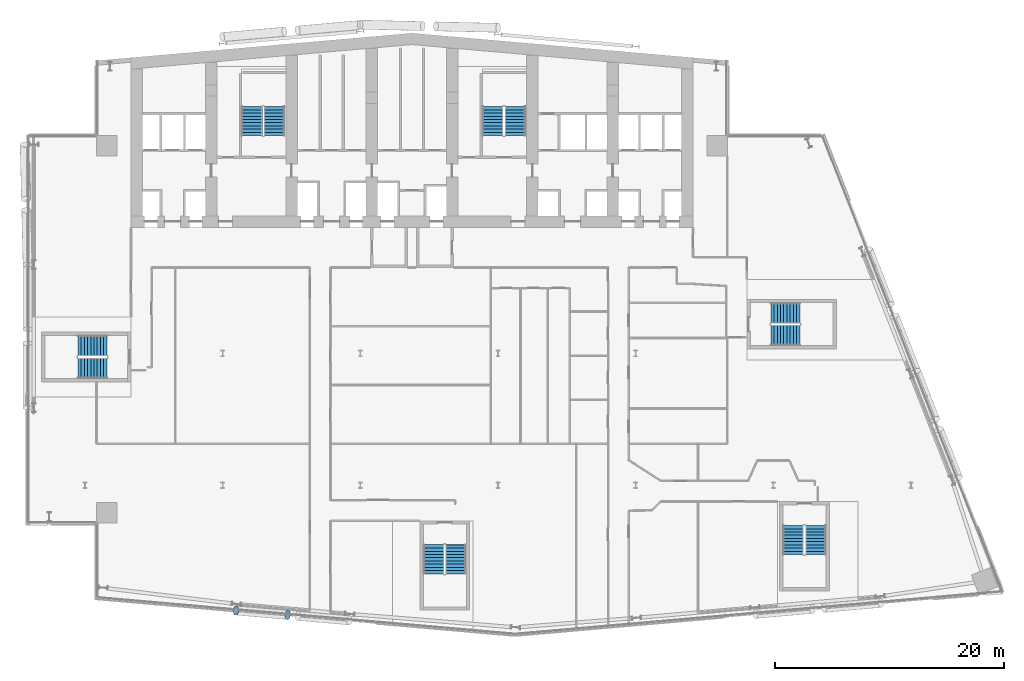
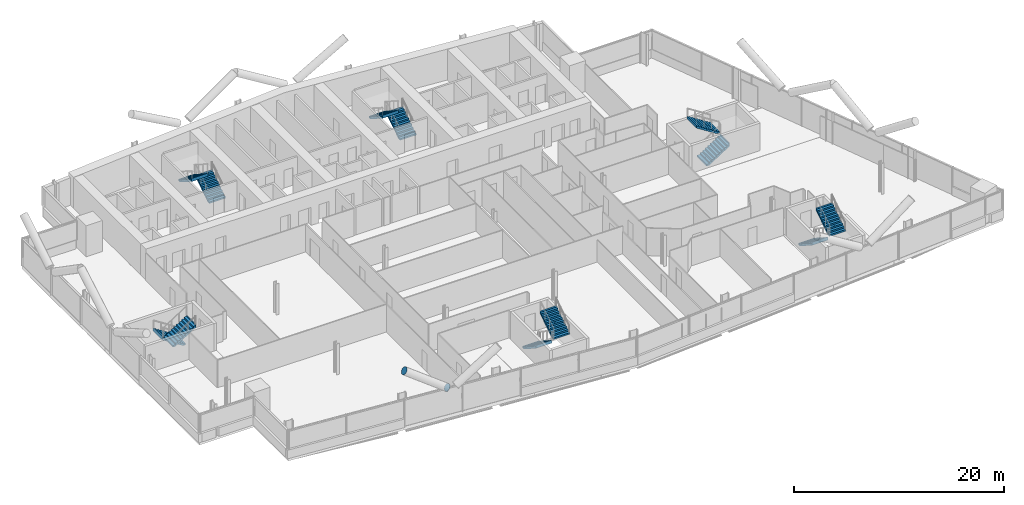
# One storey, part 20 of 27: 12 stair flights, 2 discrete accessories, 6 elements without a shape of their own.
"""IFC4 building model written with IfcOpenShell, lengths in metres."""

from ifc_helpers import new_model, si_unit, direction, frame, origin, origin_2d, place, context, subcontext, project, spatial, polyline, circle, outline, extrude, material, material_profile, profile_set, type_object, element, aggregate, save


model = new_model("IFC4")

# Units and contexts
model_context = context("Model", 3, precision=1e-05, world=origin(), true_north=direction((0.0, 1.0)))
body_context = subcontext(model_context, "Body", "Model", "MODEL_VIEW")
ifc_project = project(units=[si_unit("LENGTHUNIT", "METRE"), si_unit("AREAUNIT", "SQUARE_METRE"), si_unit("VOLUMEUNIT", "CUBIC_METRE"), si_unit("PLANEANGLEUNIT", "RADIAN"), si_unit("MASSUNIT", "GRAM", prefix="KILO")], contexts=[model_context])

# Site, building, storey
site_placement = place(None, origin())
site = spatial("IfcSite", under=ifc_project, at=site_placement, CompositionType="ELEMENT")
building_placement = place(site_placement, origin())
building = spatial("IfcBuilding", under=site, at=building_placement, Name="Wharfspan Tower", CompositionType="ELEMENT")
storey_placement = place(building_placement, frame((0.0, 0.0, 118.300049)))
storey = spatial("IfcBuildingStorey", under=building, at=storey_placement, Name="L27", CompositionType="ELEMENT", Elevation=118.300049)

# Stair, stair flights
ifc_material_1 = material(Name="Concrete C40/50", Category="concrete")
stair_type = type_object("IfcStairType", Name="Half-turn stair 20 risers 180 mm", PredefinedType="HALF_TURN_STAIR", material=ifc_material_1)
stair_1_placement = place(storey_placement, origin())
stair_1 = element("IfcStair", 1, at=stair_1_placement, inside=storey, type_object=stair_type, Name="L27 stair ST1", PredefinedType="HALF_TURN_STAIR")
stair_flight_type = type_object("IfcStairFlightType", Name="Stair flight 20 risers 180 mm", PredefinedType="STRAIGHT", material=ifc_material_1)
stair_flight_1_placement = place(storey_placement, frame((28.5, 42.0, 0.0), z_axis=(0.0, 0.0, 1.0), x_axis=(0.0, 1.0, 0.0)))
stair_flight_1 = element("IfcStairFlight", 2, at=stair_flight_1_placement, type_object=stair_flight_type, Name="ST1 flight 1", NumberOfRisers=10, NumberOfTreads=9, PredefinedType="STRAIGHT", RiserHeight=0.18, TreadLength=0.28, context=body_context, shape_type="SweptSolid", body=[
    extrude(outline(polyline([(-0.011963, 0.0), (-0.011963, 0.179932), (0.0, 0.179932), (0.280029, 0.179932), (0.280029, 0.360107), (0.560059, 0.360107), (0.560059, 0.540039), (0.840088, 0.540039), (0.840088, 0.719971), (1.120117, 0.719971), (1.120117, 0.899902), (1.399902, 0.899902), (1.399902, 1.080078), (1.679932, 1.080078), (1.679932, 1.26001), (1.959961, 1.26001), (1.959961, 1.439941), (2.23999, 1.439941), (2.23999, 1.620117), (2.52002, 1.620117), (2.531982, 1.800049), (2.531982, 1.441895), (0.2771, 0.0), (-0.011963, 0.0)])), frame((0.0, 0.899902, 0.0), z_axis=(0.0, -1.0, 0.0), x_axis=(1.0, 0.0, 0.0)), (0.0, 0.0, 1.0), 0.899414),
    extrude(outline(polyline([(-0.011963, 0.0), (-0.011963, 0.179932), (0.0, 0.179932), (0.280029, 0.179932), (0.280029, 0.360107), (0.560059, 0.360107), (0.560059, 0.540039), (0.840088, 0.540039), (0.840088, 0.719971), (1.120117, 0.719971), (1.120117, 0.899902), (1.399902, 0.899902), (1.399902, 1.080078), (1.679932, 1.080078), (1.679932, 1.26001), (1.959961, 1.26001), (1.959961, 1.439941), (2.23999, 1.439941), (2.23999, 1.620117), (2.52002, 1.620117), (2.531982, 1.800049), (2.531982, 1.441895), (0.2771, 0.0), (-0.011963, 0.0)])), frame((0.0, -0.000488, 0.0), z_axis=(0.0, -1.0, 0.0), x_axis=(1.0, 0.0, 0.0)), (0.0, 0.0, 1.0), 0.899414),
])
stair_flight_2_placement = place(storey_placement, frame((26.550049, 44.52002, 1.800049), z_axis=(0.0, 0.0, 1.0), x_axis=(0.0, -1.0, 0.0)))
stair_flight_2 = element("IfcStairFlight", 3, at=stair_flight_2_placement, type_object=stair_flight_type, Name="ST1 flight 2", NumberOfRisers=10, NumberOfTreads=9, PredefinedType="STRAIGHT", RiserHeight=0.18, TreadLength=0.28, context=body_context, shape_type="SweptSolid", body=[
    extrude(outline(polyline([(-0.011963, 0.0), (-0.011963, 0.179932), (0.0, 0.179932), (0.280029, 0.179932), (0.280029, 0.360107), (0.560059, 0.360107), (0.560059, 0.540039), (0.840088, 0.540039), (0.840088, 0.719971), (1.120117, 0.719971), (1.120117, 0.899902), (1.399902, 0.899902), (1.399902, 1.080078), (1.679932, 1.080078), (1.679932, 1.26001), (1.959961, 1.26001), (1.959961, 1.439941), (2.23999, 1.439941), (2.23999, 1.620117), (2.52002, 1.620117), (2.531982, 1.800049), (2.531982, 1.441895), (0.2771, 0.0), (-0.011963, 0.0)])), frame((0.0, 0.899902, 0.0), z_axis=(0.0, -1.0, 0.0), x_axis=(1.0, 0.0, 0.0)), (0.0, 0.0, 1.0), 0.899414),
    extrude(outline(polyline([(-0.011963, 0.0), (-0.011963, 0.179932), (0.0, 0.179932), (0.280029, 0.179932), (0.280029, 0.360107), (0.560059, 0.360107), (0.560059, 0.540039), (0.840088, 0.540039), (0.840088, 0.719971), (1.120117, 0.719971), (1.120117, 0.899902), (1.399902, 0.899902), (1.399902, 1.080078), (1.679932, 1.080078), (1.679932, 1.26001), (1.959961, 1.26001), (1.959961, 1.439941), (2.23999, 1.439941), (2.23999, 1.620117), (2.52002, 1.620117), (2.531982, 1.800049), (2.531982, 1.441895), (0.2771, 0.0), (-0.011963, 0.0)])), frame((0.0, -0.000488, 0.0), z_axis=(0.0, -1.0, 0.0), x_axis=(1.0, 0.0, 0.0)), (0.0, 0.0, 1.0), 0.899414),
])
aggregate(stair_1, [stair_flight_1, stair_flight_2])

stair_2_placement = place(storey_placement, origin())
stair_2 = element("IfcStair", 4, at=stair_2_placement, inside=storey, type_object=stair_type, Name="L27 stair ST2", PredefinedType="HALF_TURN_STAIR")
stair_flight_3_placement = place(storey_placement, frame((49.5, 42.0, 0.0), z_axis=(0.0, 0.0, 1.0), x_axis=(0.0, 1.0, 0.0)))
stair_flight_3 = element("IfcStairFlight", 5, at=stair_flight_3_placement, type_object=stair_flight_type, Name="ST2 flight 1", NumberOfRisers=10, NumberOfTreads=9, PredefinedType="STRAIGHT", RiserHeight=0.18, TreadLength=0.28, context=body_context, shape_type="SweptSolid", body=[
    extrude(outline(polyline([(-0.011963, 0.0), (-0.011963, 0.179932), (0.0, 0.179932), (0.280029, 0.179932), (0.280029, 0.360107), (0.560059, 0.360107), (0.560059, 0.540039), (0.840088, 0.540039), (0.840088, 0.719971), (1.120117, 0.719971), (1.120117, 0.899902), (1.399902, 0.899902), (1.399902, 1.080078), (1.679932, 1.080078), (1.679932, 1.26001), (1.959961, 1.26001), (1.959961, 1.439941), (2.23999, 1.439941), (2.23999, 1.620117), (2.52002, 1.620117), (2.531982, 1.800049), (2.531982, 1.441895), (0.2771, 0.0), (-0.011963, 0.0)])), frame((0.0, 0.899902, 0.0), z_axis=(0.0, -1.0, 0.0), x_axis=(1.0, 0.0, 0.0)), (0.0, 0.0, 1.0), 0.899414),
    extrude(outline(polyline([(-0.011963, 0.0), (-0.011963, 0.179932), (0.0, 0.179932), (0.280029, 0.179932), (0.280029, 0.360107), (0.560059, 0.360107), (0.560059, 0.540039), (0.840088, 0.540039), (0.840088, 0.719971), (1.120117, 0.719971), (1.120117, 0.899902), (1.399902, 0.899902), (1.399902, 1.080078), (1.679932, 1.080078), (1.679932, 1.26001), (1.959961, 1.26001), (1.959961, 1.439941), (2.23999, 1.439941), (2.23999, 1.620117), (2.52002, 1.620117), (2.531982, 1.800049), (2.531982, 1.441895), (0.2771, 0.0), (-0.011963, 0.0)])), frame((0.0, -0.000488, 0.0), z_axis=(0.0, -1.0, 0.0), x_axis=(1.0, 0.0, 0.0)), (0.0, 0.0, 1.0), 0.899414),
])
stair_flight_4_placement = place(storey_placement, frame((47.550049, 44.52002, 1.800049), z_axis=(0.0, 0.0, 1.0), x_axis=(0.0, -1.0, 0.0)))
stair_flight_4 = element("IfcStairFlight", 6, at=stair_flight_4_placement, type_object=stair_flight_type, Name="ST2 flight 2", NumberOfRisers=10, NumberOfTreads=9, PredefinedType="STRAIGHT", RiserHeight=0.18, TreadLength=0.28, context=body_context, shape_type="SweptSolid", body=[
    extrude(outline(polyline([(-0.011963, 0.0), (-0.011963, 0.179932), (0.0, 0.179932), (0.280029, 0.179932), (0.280029, 0.360107), (0.560059, 0.360107), (0.560059, 0.540039), (0.840088, 0.540039), (0.840088, 0.719971), (1.120117, 0.719971), (1.120117, 0.899902), (1.399902, 0.899902), (1.399902, 1.080078), (1.679932, 1.080078), (1.679932, 1.26001), (1.959961, 1.26001), (1.959961, 1.439941), (2.23999, 1.439941), (2.23999, 1.620117), (2.52002, 1.620117), (2.531982, 1.800049), (2.531982, 1.441895), (0.2771, 0.0), (-0.011963, 0.0)])), frame((0.0, 0.899902, 0.0), z_axis=(0.0, -1.0, 0.0), x_axis=(1.0, 0.0, 0.0)), (0.0, 0.0, 1.0), 0.899414),
    extrude(outline(polyline([(-0.011963, 0.0), (-0.011963, 0.179932), (0.0, 0.179932), (0.280029, 0.179932), (0.280029, 0.360107), (0.560059, 0.360107), (0.560059, 0.540039), (0.840088, 0.540039), (0.840088, 0.719971), (1.120117, 0.719971), (1.120117, 0.899902), (1.399902, 0.899902), (1.399902, 1.080078), (1.679932, 1.080078), (1.679932, 1.26001), (1.959961, 1.26001), (1.959961, 1.439941), (2.23999, 1.439941), (2.23999, 1.620117), (2.52002, 1.620117), (2.531982, 1.800049), (2.531982, 1.441895), (0.2771, 0.0), (-0.011963, 0.0)])), frame((0.0, -0.000488, 0.0), z_axis=(0.0, -1.0, 0.0), x_axis=(1.0, 0.0, 0.0)), (0.0, 0.0, 1.0), 0.899414),
])
aggregate(stair_2, [stair_flight_3, stair_flight_4])

stair_3_placement = place(storey_placement, origin())
stair_3 = element("IfcStair", 7, at=stair_3_placement, inside=storey, type_object=stair_type, Name="L27 stair ST3", PredefinedType="HALF_TURN_STAIR")
stair_flight_5_placement = place(storey_placement, frame((13.899902, 23.675049, 0.0), z_axis=(0.0, 0.0, 1.0), x_axis=(-1.0, 0.0, 0.0)))
stair_flight_5 = element("IfcStairFlight", 8, at=stair_flight_5_placement, type_object=stair_flight_type, Name="ST3 flight 1", NumberOfRisers=10, NumberOfTreads=9, PredefinedType="STRAIGHT", RiserHeight=0.18, TreadLength=0.28, context=body_context, shape_type="SweptSolid", body=[
    extrude(outline(polyline([(-0.011963, 0.0), (-0.011963, 0.179932), (0.0, 0.179932), (0.280029, 0.179932), (0.280029, 0.360107), (0.560059, 0.360107), (0.560059, 0.540039), (0.840088, 0.540039), (0.840088, 0.719971), (1.120117, 0.719971), (1.120117, 0.899902), (1.399902, 0.899902), (1.399902, 1.080078), (1.679932, 1.080078), (1.679932, 1.26001), (1.959961, 1.26001), (1.959961, 1.439941), (2.23999, 1.439941), (2.23999, 1.620117), (2.52002, 1.620117), (2.531982, 1.800049), (2.531982, 1.441895), (0.2771, 0.0), (-0.011963, 0.0)])), frame((0.0, 0.899902, 0.0), z_axis=(0.0, -1.0, 0.0), x_axis=(1.0, 0.0, 0.0)), (0.0, 0.0, 1.0), 0.899414),
    extrude(outline(polyline([(-0.011963, 0.0), (-0.011963, 0.179932), (0.0, 0.179932), (0.280029, 0.179932), (0.280029, 0.360107), (0.560059, 0.360107), (0.560059, 0.540039), (0.840088, 0.540039), (0.840088, 0.719971), (1.120117, 0.719971), (1.120117, 0.899902), (1.399902, 0.899902), (1.399902, 1.080078), (1.679932, 1.080078), (1.679932, 1.26001), (1.959961, 1.26001), (1.959961, 1.439941), (2.23999, 1.439941), (2.23999, 1.620117), (2.52002, 1.620117), (2.531982, 1.800049), (2.531982, 1.441895), (0.2771, 0.0), (-0.011963, 0.0)])), frame((0.0, -0.000488, 0.0), z_axis=(0.0, -1.0, 0.0), x_axis=(1.0, 0.0, 0.0)), (0.0, 0.0, 1.0), 0.899414),
])
stair_flight_6_placement = place(storey_placement, frame((11.379883, 21.725098, 1.800049), z_axis=(0.0, 0.0, 1.0), x_axis=(1.0, 0.0, 0.0)))
stair_flight_6 = element("IfcStairFlight", 9, at=stair_flight_6_placement, type_object=stair_flight_type, Name="ST3 flight 2", NumberOfRisers=10, NumberOfTreads=9, PredefinedType="STRAIGHT", RiserHeight=0.18, TreadLength=0.28, context=body_context, shape_type="SweptSolid", body=[
    extrude(outline(polyline([(-0.011963, 0.0), (-0.011963, 0.179932), (0.0, 0.179932), (0.280029, 0.179932), (0.280029, 0.360107), (0.560059, 0.360107), (0.560059, 0.540039), (0.840088, 0.540039), (0.840088, 0.719971), (1.120117, 0.719971), (1.120117, 0.899902), (1.399902, 0.899902), (1.399902, 1.080078), (1.679932, 1.080078), (1.679932, 1.26001), (1.959961, 1.26001), (1.959961, 1.439941), (2.23999, 1.439941), (2.23999, 1.620117), (2.52002, 1.620117), (2.531982, 1.800049), (2.531982, 1.441895), (0.2771, 0.0), (-0.011963, 0.0)])), frame((0.0, 0.899902, 0.0), z_axis=(0.0, -1.0, 0.0), x_axis=(1.0, 0.0, 0.0)), (0.0, 0.0, 1.0), 0.899414),
    extrude(outline(polyline([(-0.011963, 0.0), (-0.011963, 0.179932), (0.0, 0.179932), (0.280029, 0.179932), (0.280029, 0.360107), (0.560059, 0.360107), (0.560059, 0.540039), (0.840088, 0.540039), (0.840088, 0.719971), (1.120117, 0.719971), (1.120117, 0.899902), (1.399902, 0.899902), (1.399902, 1.080078), (1.679932, 1.080078), (1.679932, 1.26001), (1.959961, 1.26001), (1.959961, 1.439941), (2.23999, 1.439941), (2.23999, 1.620117), (2.52002, 1.620117), (2.531982, 1.800049), (2.531982, 1.441895), (0.2771, 0.0), (-0.011963, 0.0)])), frame((0.0, -0.000488, 0.0), z_axis=(0.0, -1.0, 0.0), x_axis=(1.0, 0.0, 0.0)), (0.0, 0.0, 1.0), 0.899414),
])
aggregate(stair_3, [stair_flight_5, stair_flight_6])

stair_4_placement = place(storey_placement, origin())
stair_4 = element("IfcStair", 10, at=stair_4_placement, inside=storey, type_object=stair_type, Name="L27 stair ST4", PredefinedType="HALF_TURN_STAIR")
stair_flight_7_placement = place(storey_placement, frame((42.385254, 6.316895, 0.0), z_axis=(0.0, 0.0, 1.0), x_axis=(0.0, -1.0, 0.0)))
stair_flight_7 = element("IfcStairFlight", 11, at=stair_flight_7_placement, type_object=stair_flight_type, Name="ST4 flight 1", NumberOfRisers=10, NumberOfTreads=9, PredefinedType="STRAIGHT", RiserHeight=0.18, TreadLength=0.28, context=body_context, shape_type="SweptSolid", body=[
    extrude(outline(polyline([(-0.011963, 0.0), (-0.011963, 0.179932), (0.0, 0.179932), (0.280029, 0.179932), (0.280029, 0.360107), (0.560059, 0.360107), (0.560059, 0.540039), (0.840088, 0.540039), (0.840088, 0.719971), (1.120117, 0.719971), (1.120117, 0.899902), (1.399902, 0.899902), (1.399902, 1.080078), (1.679932, 1.080078), (1.679932, 1.26001), (1.959961, 1.26001), (1.959961, 1.439941), (2.23999, 1.439941), (2.23999, 1.620117), (2.52002, 1.620117), (2.531982, 1.800049), (2.531982, 1.441895), (0.2771, 0.0), (-0.011963, 0.0)])), frame((0.0, 0.899902, 0.0), z_axis=(0.0, -1.0, 0.0), x_axis=(1.0, 0.0, 0.0)), (0.0, 0.0, 1.0), 0.899414),
    extrude(outline(polyline([(-0.011963, 0.0), (-0.011963, 0.179932), (0.0, 0.179932), (0.280029, 0.179932), (0.280029, 0.360107), (0.560059, 0.360107), (0.560059, 0.540039), (0.840088, 0.540039), (0.840088, 0.719971), (1.120117, 0.719971), (1.120117, 0.899902), (1.399902, 0.899902), (1.399902, 1.080078), (1.679932, 1.080078), (1.679932, 1.26001), (1.959961, 1.26001), (1.959961, 1.439941), (2.23999, 1.439941), (2.23999, 1.620117), (2.52002, 1.620117), (2.531982, 1.800049), (2.531982, 1.441895), (0.2771, 0.0), (-0.011963, 0.0)])), frame((0.0, -0.000488, 0.0), z_axis=(0.0, -1.0, 0.0), x_axis=(1.0, 0.0, 0.0)), (0.0, 0.0, 1.0), 0.899414),
])
stair_flight_8_placement = place(storey_placement, frame((44.335205, 3.796875, 1.800049), z_axis=(0.0, 0.0, 1.0), x_axis=(0.0, 1.0, 0.0)))
stair_flight_8 = element("IfcStairFlight", 12, at=stair_flight_8_placement, type_object=stair_flight_type, Name="ST4 flight 2", NumberOfRisers=10, NumberOfTreads=9, PredefinedType="STRAIGHT", RiserHeight=0.18, TreadLength=0.28, context=body_context, shape_type="SweptSolid", body=[
    extrude(outline(polyline([(-0.011963, 0.0), (-0.011963, 0.179932), (0.0, 0.179932), (0.280029, 0.179932), (0.280029, 0.360107), (0.560059, 0.360107), (0.560059, 0.540039), (0.840088, 0.540039), (0.840088, 0.719971), (1.120117, 0.719971), (1.120117, 0.899902), (1.399902, 0.899902), (1.399902, 1.080078), (1.679932, 1.080078), (1.679932, 1.26001), (1.959961, 1.26001), (1.959961, 1.439941), (2.23999, 1.439941), (2.23999, 1.620117), (2.52002, 1.620117), (2.531982, 1.800049), (2.531982, 1.441895), (0.2771, 0.0), (-0.011963, 0.0)])), frame((0.0, 0.899902, 0.0), z_axis=(0.0, -1.0, 0.0), x_axis=(1.0, 0.0, 0.0)), (0.0, 0.0, 1.0), 0.899414),
    extrude(outline(polyline([(-0.011963, 0.0), (-0.011963, 0.179932), (0.0, 0.179932), (0.280029, 0.179932), (0.280029, 0.360107), (0.560059, 0.360107), (0.560059, 0.540039), (0.840088, 0.540039), (0.840088, 0.719971), (1.120117, 0.719971), (1.120117, 0.899902), (1.399902, 0.899902), (1.399902, 1.080078), (1.679932, 1.080078), (1.679932, 1.26001), (1.959961, 1.26001), (1.959961, 1.439941), (2.23999, 1.439941), (2.23999, 1.620117), (2.52002, 1.620117), (2.531982, 1.800049), (2.531982, 1.441895), (0.2771, 0.0), (-0.011963, 0.0)])), frame((0.0, -0.000488, 0.0), z_axis=(0.0, -1.0, 0.0), x_axis=(1.0, 0.0, 0.0)), (0.0, 0.0, 1.0), 0.899414),
])
aggregate(stair_4, [stair_flight_7, stair_flight_8])

stair_5_placement = place(storey_placement, origin())
stair_5 = element("IfcStair", 13, at=stair_5_placement, inside=storey, type_object=stair_type, Name="L27 stair ST5", PredefinedType="HALF_TURN_STAIR")
stair_flight_9_placement = place(storey_placement, frame((73.740967, 7.994629, 0.0), z_axis=(0.0, 0.0, 1.0), x_axis=(0.0, -1.0, 0.0)))
stair_flight_9 = element("IfcStairFlight", 14, at=stair_flight_9_placement, type_object=stair_flight_type, Name="ST5 flight 1", NumberOfRisers=10, NumberOfTreads=9, PredefinedType="STRAIGHT", RiserHeight=0.18, TreadLength=0.28, context=body_context, shape_type="SweptSolid", body=[
    extrude(outline(polyline([(-0.011963, 0.0), (-0.011963, 0.179932), (0.0, 0.179932), (0.280029, 0.179932), (0.280029, 0.360107), (0.560059, 0.360107), (0.560059, 0.540039), (0.840088, 0.540039), (0.840088, 0.719971), (1.120117, 0.719971), (1.120117, 0.899902), (1.399902, 0.899902), (1.399902, 1.080078), (1.679932, 1.080078), (1.679932, 1.26001), (1.959961, 1.26001), (1.959961, 1.439941), (2.23999, 1.439941), (2.23999, 1.620117), (2.52002, 1.620117), (2.531982, 1.800049), (2.531982, 1.441895), (0.2771, 0.0), (-0.011963, 0.0)])), frame((0.0, 0.899902, 0.0), z_axis=(0.0, -1.0, 0.0), x_axis=(1.0, 0.0, 0.0)), (0.0, 0.0, 1.0), 0.899414),
    extrude(outline(polyline([(-0.011963, 0.0), (-0.011963, 0.179932), (0.0, 0.179932), (0.280029, 0.179932), (0.280029, 0.360107), (0.560059, 0.360107), (0.560059, 0.540039), (0.840088, 0.540039), (0.840088, 0.719971), (1.120117, 0.719971), (1.120117, 0.899902), (1.399902, 0.899902), (1.399902, 1.080078), (1.679932, 1.080078), (1.679932, 1.26001), (1.959961, 1.26001), (1.959961, 1.439941), (2.23999, 1.439941), (2.23999, 1.620117), (2.52002, 1.620117), (2.531982, 1.800049), (2.531982, 1.441895), (0.2771, 0.0), (-0.011963, 0.0)])), frame((0.0, -0.000488, 0.0), z_axis=(0.0, -1.0, 0.0), x_axis=(1.0, 0.0, 0.0)), (0.0, 0.0, 1.0), 0.899414),
])
stair_flight_10_placement = place(storey_placement, frame((75.690918, 5.474609, 1.800049), z_axis=(0.0, 0.0, 1.0), x_axis=(0.0, 1.0, 0.0)))
stair_flight_10 = element("IfcStairFlight", 15, at=stair_flight_10_placement, type_object=stair_flight_type, Name="ST5 flight 2", NumberOfRisers=10, NumberOfTreads=9, PredefinedType="STRAIGHT", RiserHeight=0.18, TreadLength=0.28, context=body_context, shape_type="SweptSolid", body=[
    extrude(outline(polyline([(-0.011963, 0.0), (-0.011963, 0.179932), (0.0, 0.179932), (0.280029, 0.179932), (0.280029, 0.360107), (0.560059, 0.360107), (0.560059, 0.540039), (0.840088, 0.540039), (0.840088, 0.719971), (1.120117, 0.719971), (1.120117, 0.899902), (1.399902, 0.899902), (1.399902, 1.080078), (1.679932, 1.080078), (1.679932, 1.26001), (1.959961, 1.26001), (1.959961, 1.439941), (2.23999, 1.439941), (2.23999, 1.620117), (2.52002, 1.620117), (2.531982, 1.800049), (2.531982, 1.441895), (0.2771, 0.0), (-0.011963, 0.0)])), frame((0.0, 0.899902, 0.0), z_axis=(0.0, -1.0, 0.0), x_axis=(1.0, 0.0, 0.0)), (0.0, 0.0, 1.0), 0.899414),
    extrude(outline(polyline([(-0.011963, 0.0), (-0.011963, 0.179932), (0.0, 0.179932), (0.280029, 0.179932), (0.280029, 0.360107), (0.560059, 0.360107), (0.560059, 0.540039), (0.840088, 0.540039), (0.840088, 0.719971), (1.120117, 0.719971), (1.120117, 0.899902), (1.399902, 0.899902), (1.399902, 1.080078), (1.679932, 1.080078), (1.679932, 1.26001), (1.959961, 1.26001), (1.959961, 1.439941), (2.23999, 1.439941), (2.23999, 1.620117), (2.52002, 1.620117), (2.531982, 1.800049), (2.531982, 1.441895), (0.2771, 0.0), (-0.011963, 0.0)])), frame((0.0, -0.000488, 0.0), z_axis=(0.0, -1.0, 0.0), x_axis=(1.0, 0.0, 0.0)), (0.0, 0.0, 1.0), 0.899414),
])
aggregate(stair_5, [stair_flight_9, stair_flight_10])

stair_6_placement = place(storey_placement, origin())
stair_6 = element("IfcStair", 16, at=stair_6_placement, inside=storey, type_object=stair_type, Name="L27 stair ST6", PredefinedType="HALF_TURN_STAIR")
stair_flight_11_placement = place(storey_placement, frame((71.790283, 24.574951, 0.0), z_axis=(0.0, 0.0, 1.0), x_axis=(1.0, 0.0, 0.0)))
stair_flight_11 = element("IfcStairFlight", 17, at=stair_flight_11_placement, type_object=stair_flight_type, Name="ST6 flight 1", NumberOfRisers=10, NumberOfTreads=9, PredefinedType="STRAIGHT", RiserHeight=0.18, TreadLength=0.28, context=body_context, shape_type="SweptSolid", body=[
    extrude(outline(polyline([(-0.011963, 0.0), (-0.011963, 0.179932), (0.0, 0.179932), (0.280029, 0.179932), (0.280029, 0.360107), (0.560059, 0.360107), (0.560059, 0.540039), (0.840088, 0.540039), (0.840088, 0.719971), (1.120117, 0.719971), (1.120117, 0.899902), (1.399902, 0.899902), (1.399902, 1.080078), (1.679932, 1.080078), (1.679932, 1.26001), (1.959961, 1.26001), (1.959961, 1.439941), (2.23999, 1.439941), (2.23999, 1.620117), (2.52002, 1.620117), (2.531982, 1.800049), (2.531982, 1.441895), (0.2771, 0.0), (-0.011963, 0.0)])), frame((0.0, 0.899902, 0.0), z_axis=(0.0, -1.0, 0.0), x_axis=(1.0, 0.0, 0.0)), (0.0, 0.0, 1.0), 0.899414),
    extrude(outline(polyline([(-0.011963, 0.0), (-0.011963, 0.179932), (0.0, 0.179932), (0.280029, 0.179932), (0.280029, 0.360107), (0.560059, 0.360107), (0.560059, 0.540039), (0.840088, 0.540039), (0.840088, 0.719971), (1.120117, 0.719971), (1.120117, 0.899902), (1.399902, 0.899902), (1.399902, 1.080078), (1.679932, 1.080078), (1.679932, 1.26001), (1.959961, 1.26001), (1.959961, 1.439941), (2.23999, 1.439941), (2.23999, 1.620117), (2.52002, 1.620117), (2.531982, 1.800049), (2.531982, 1.441895), (0.2771, 0.0), (-0.011963, 0.0)])), frame((0.0, -0.000488, 0.0), z_axis=(0.0, -1.0, 0.0), x_axis=(1.0, 0.0, 0.0)), (0.0, 0.0, 1.0), 0.899414),
])
stair_flight_12_placement = place(storey_placement, frame((74.310303, 26.524902, 1.800049), z_axis=(0.0, 0.0, 1.0), x_axis=(-1.0, 0.0, 0.0)))
stair_flight_12 = element("IfcStairFlight", 18, at=stair_flight_12_placement, type_object=stair_flight_type, Name="ST6 flight 2", NumberOfRisers=10, NumberOfTreads=9, PredefinedType="STRAIGHT", RiserHeight=0.18, TreadLength=0.28, context=body_context, shape_type="SweptSolid", body=[
    extrude(outline(polyline([(-0.011963, 0.0), (-0.011963, 0.179932), (0.0, 0.179932), (0.280029, 0.179932), (0.280029, 0.360107), (0.560059, 0.360107), (0.560059, 0.540039), (0.840088, 0.540039), (0.840088, 0.719971), (1.120117, 0.719971), (1.120117, 0.899902), (1.399902, 0.899902), (1.399902, 1.080078), (1.679932, 1.080078), (1.679932, 1.26001), (1.959961, 1.26001), (1.959961, 1.439941), (2.23999, 1.439941), (2.23999, 1.620117), (2.52002, 1.620117), (2.531982, 1.800049), (2.531982, 1.441895), (0.2771, 0.0), (-0.011963, 0.0)])), frame((0.0, 0.899902, 0.0), z_axis=(0.0, -1.0, 0.0), x_axis=(1.0, 0.0, 0.0)), (0.0, 0.0, 1.0), 0.899414),
    extrude(outline(polyline([(-0.011963, 0.0), (-0.011963, 0.179932), (0.0, 0.179932), (0.280029, 0.179932), (0.280029, 0.360107), (0.560059, 0.360107), (0.560059, 0.540039), (0.840088, 0.540039), (0.840088, 0.719971), (1.120117, 0.719971), (1.120117, 0.899902), (1.399902, 0.899902), (1.399902, 1.080078), (1.679932, 1.080078), (1.679932, 1.26001), (1.959961, 1.26001), (1.959961, 1.439941), (2.23999, 1.439941), (2.23999, 1.620117), (2.52002, 1.620117), (2.531982, 1.800049), (2.531982, 1.441895), (0.2771, 0.0), (-0.011963, 0.0)])), frame((0.0, -0.000488, 0.0), z_axis=(0.0, -1.0, 0.0), x_axis=(1.0, 0.0, 0.0)), (0.0, 0.0, 1.0), 0.899414),
])
aggregate(stair_6, [stair_flight_11, stair_flight_12])

# Discrete accessories
ifc_material_2 = material(Name="Steel S460NH", Category="steel")
ifc_material_profile = material_profile(ifc_material_2, circle(Radius=0.406494, at=origin_2d()))
ifc_profile_set = profile_set([ifc_material_profile], Name="Steel S460NH")
discrete_accessory_type = type_object("IfcDiscreteAccessoryType", Name="End plate CHS 813x40", PredefinedType="BRACKET", material=ifc_profile_set)
for number, where, z_axis, x_axis, name in (
    (19, (29.662842, 0.202148, 3.220947), (-0.806559, 0.073324, 0.586588), (-0.090536, -0.99589, 0.0), "End plate CHS 813x40"),
    (20, (25.165283, 0.595703, 6.5), (-0.806559, 0.073324, 0.586588), (-0.090536, -0.99589, 0.0), "End plate CHS 813x40"),
):
    element("IfcDiscreteAccessory", number, at=place(storey_placement, frame(where, z_axis=z_axis, x_axis=x_axis)), inside=storey, type_object=discrete_accessory_type, Name=name, PredefinedType="BRACKET", context=body_context, shape_type="SweptSolid", body=[
        extrude(circle(Radius=0.406494, at=origin_2d()), origin(), (0.0, 0.0, 1.0), 0.01001),
    ])

save(model, "model.ifc")
